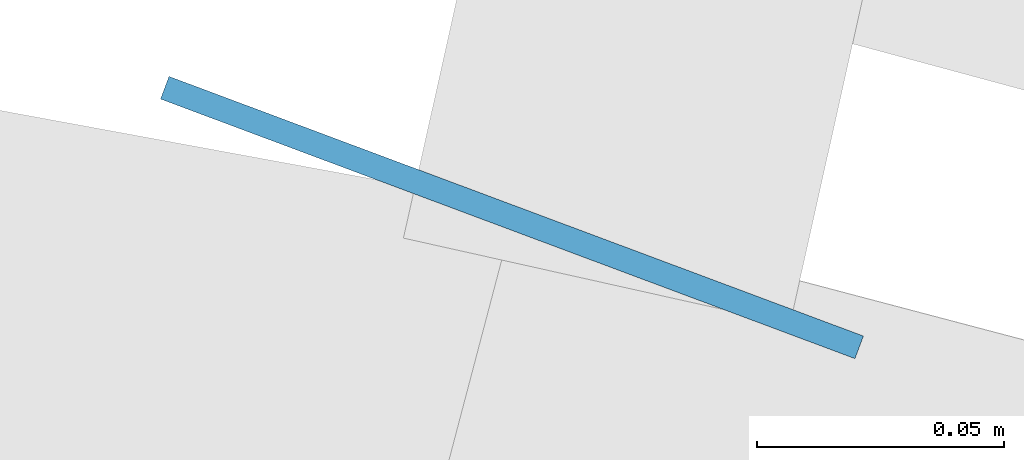
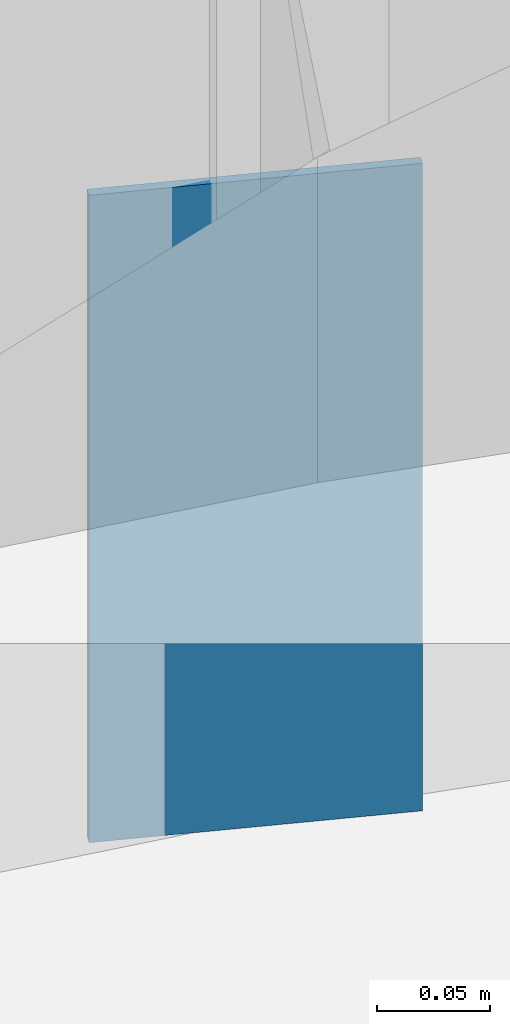
# One storey, part 19 of 27: 1 discrete accessory.
"""IFC4 building model written with IfcOpenShell, lengths in metres."""

from ifc_helpers import new_model, si_unit, direction, frame, origin, origin_2d, place, context, subcontext, project, spatial, rectangle, extrude, material, type_object, element, save


model = new_model("IFC4")

# Units and contexts
model_context = context("Model", 3, precision=1e-05, world=origin(), true_north=direction((0.0, 1.0)))
body_context = subcontext(model_context, "Body", "Model", "MODEL_VIEW")
ifc_project = project(units=[si_unit("LENGTHUNIT", "METRE"), si_unit("AREAUNIT", "SQUARE_METRE"), si_unit("VOLUMEUNIT", "CUBIC_METRE"), si_unit("PLANEANGLEUNIT", "RADIAN"), si_unit("MASSUNIT", "GRAM", prefix="KILO")], contexts=[model_context])

# Site, building, storey
site_placement = place(None, origin())
site = spatial("IfcSite", under=ifc_project, at=site_placement, CompositionType="ELEMENT")
building_placement = place(site_placement, origin())
building = spatial("IfcBuilding", under=site, at=building_placement, Name="Ghaith Harvest Tower", CompositionType="ELEMENT")
storey_placement = place(building_placement, frame((0.0, 0.0, 10.0)))
storey = spatial("IfcBuildingStorey", under=building, at=storey_placement, Name="L02", CompositionType="ELEMENT", Elevation=10.0)

# Discrete accessory
ifc_material = material(Name="Stainless steel grade 1.4401", Category="steel")
discrete_accessory_type = type_object("IfcDiscreteAccessoryType", Name="CURTAIN WALL BRACKET 5", PredefinedType="BRACKET", material=ifc_material)
discrete_accessory_placement = place(storey_placement, frame((11.1025390625, 29.69873046875, -0.25), z_axis=(0.0, 0.0, 1.0), x_axis=(0.35016769709, 0.936687025593, 0.0)))
element("IfcDiscreteAccessory", 1, at=discrete_accessory_placement, inside=storey, type_object=discrete_accessory_type, Name="CW-P bracket 1 bay 05 L02", PredefinedType="BRACKET", context=body_context, shape_type="SweptSolid", body=[
    extrude(rectangle(XDim=0.0048828125, YDim=0.14990234375, at=origin_2d()), origin(), (0.0, 0.0, 1.0), 0.35009765625),
])

save(model, "model.ifc")
